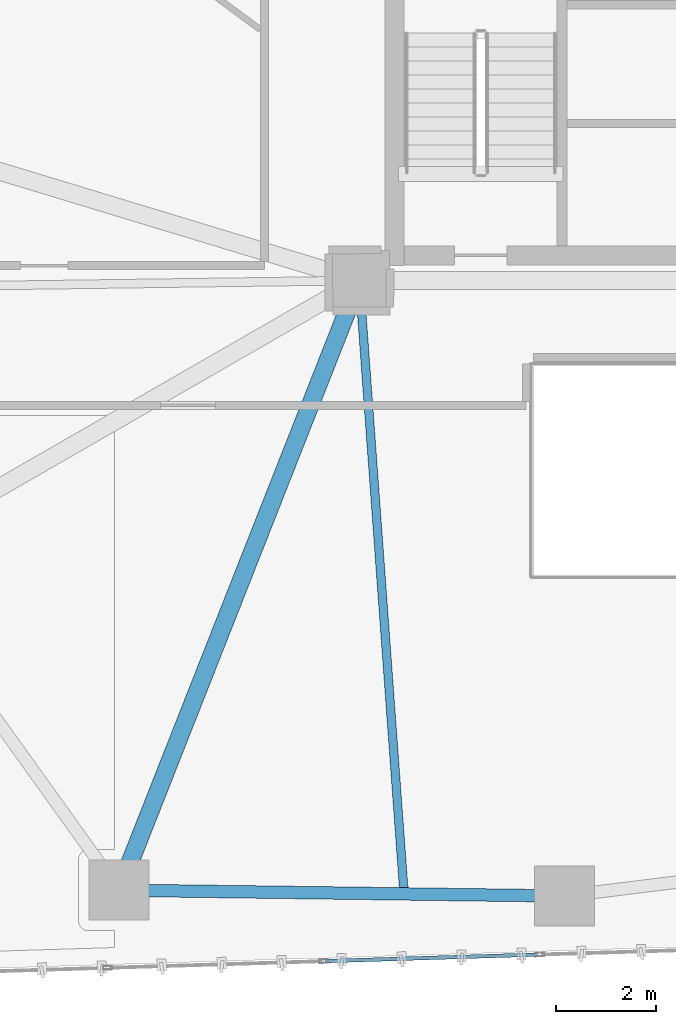
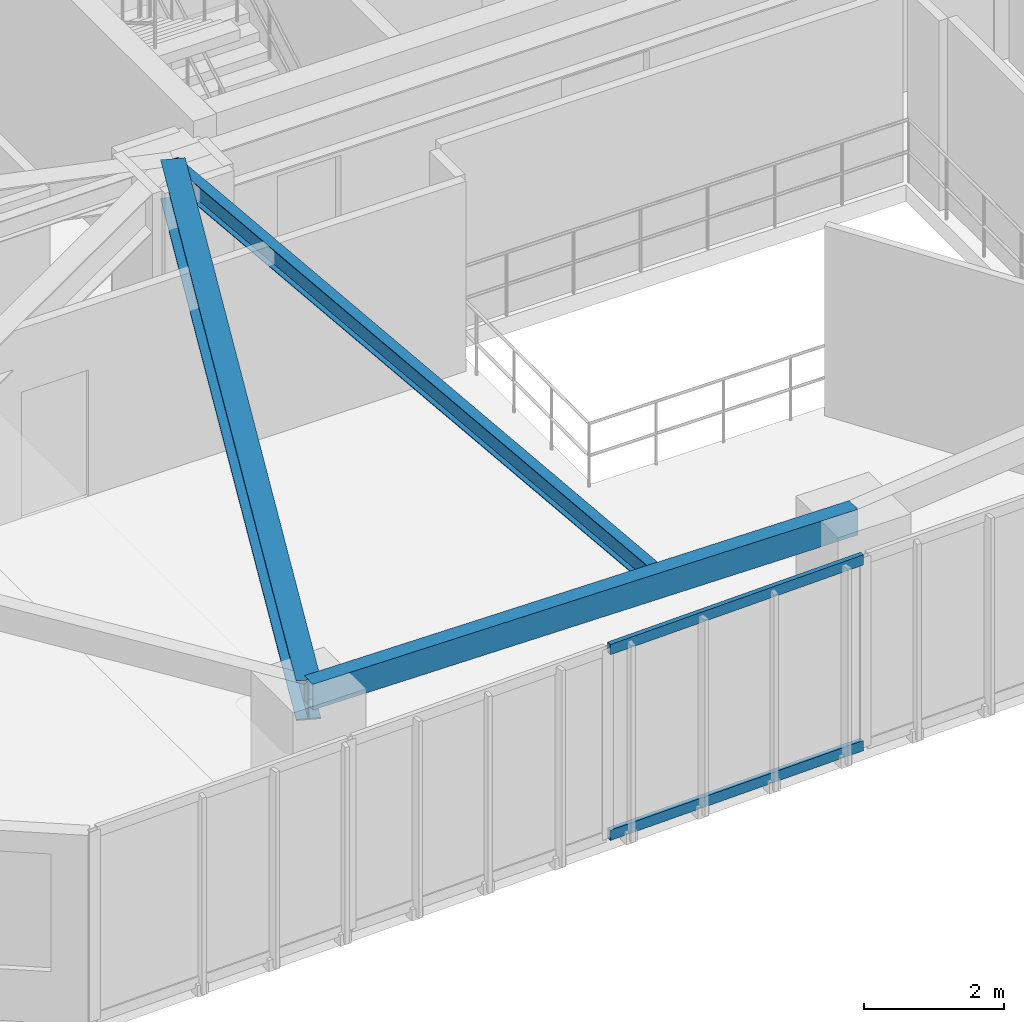
# One storey, part 3 of 23: 3 beams, 2 members, 1 element without a shape of its own.
"""IFC4 building model written with IfcOpenShell, lengths in metres."""

import ifcopenshell
import ifcopenshell.guid

model = None  # the IFC model being written
_history = None  # IfcOwnerHistory: only IFC2X3 demands one
_inside = {}  # id of a spatial element -> (the spatial element, [elements in it])
_under = {}  # id of a project, library or spatial element -> (it, [spatial elements below it])
_declared = {}  # id of a project -> (the project, [libraries it declares])
_typed = {}  # id of a type object -> (the type object, [elements of that type])
_made_of = {}  # id of a material, layer set ... -> (it, [elements and type objects made of it])


def new_model(schema):
    """Start an empty IFC model of exactly this schema.

    Asked for "IFC4X3", IfcOpenShell would pick the latest addendum, in which some entities
    have other attributes; the version numbers below select the first issue.
    IFC2X3 requires an IfcOwnerHistory on every rooted entity: one is made here for all.
    """
    global model, _history
    if schema == "IFC4X3":
        model = ifcopenshell.file(schema_version=(4, 3, 0, 0))
    else:
        model = ifcopenshell.file(schema=schema)
    _inside.clear()
    _under.clear()
    _declared.clear()
    _typed.clear()
    _made_of.clear()
    _history = None
    if model.schema == "IFC2X3":
        org = make("IfcOrganization", Name="unknown")
        user = make(
            "IfcPersonAndOrganization",
            ThePerson=make("IfcPerson", FamilyName="unknown"),
            TheOrganization=org,
        )
        app = make(
            "IfcApplication",
            ApplicationDeveloper=org,
            Version="unknown",
            ApplicationFullName="unknown",
            ApplicationIdentifier="unknown",
        )
        _history = make(
            "IfcOwnerHistory",
            OwningUser=user,
            OwningApplication=app,
            ChangeAction="ADDED",
            CreationDate=0,
        )
    return model


def make(cls, **values):
    """One entity of the class cls with the attributes given. An attribute that is None is left unset."""
    return model.create_entity(
        cls, **{name: value for name, value in values.items() if value is not None}
    )


def rooted(cls, **values):
    """An entity with a GlobalId (a new one), such as an element, a storey or a relation."""
    return make(cls, GlobalId=ifcopenshell.guid.new(), OwnerHistory=_history, **values)


def si_unit(unit_type, name, prefix=None):
    """IfcSIUnit, for example si_unit("LENGTHUNIT", "METRE", prefix="MILLI")."""
    return make("IfcSIUnit", UnitType=unit_type, Prefix=prefix, Name=name)


def assignment(units):
    """IfcUnitAssignment: the units of a project."""
    return None if units is None else make("IfcUnitAssignment", Units=units)


def point(xyz):
    """IfcCartesianPoint."""
    return None if xyz is None else make("IfcCartesianPoint", Coordinates=xyz)


def direction(xyz):
    """IfcDirection."""
    return None if xyz is None else make("IfcDirection", DirectionRatios=xyz)


def frame(location, z_axis=None, x_axis=None):
    """IfcAxis2Placement3D, a coordinate frame: its origin and axes. An axis left out is left unset."""
    return make(
        "IfcAxis2Placement3D",
        Location=point(location),
        Axis=direction(z_axis),
        RefDirection=direction(x_axis),
    )


def frame_2d(location, x_axis=None):
    """IfcAxis2Placement2D, a coordinate frame in the plane: its origin and x axis."""
    return make(
        "IfcAxis2Placement2D", Location=point(location), RefDirection=direction(x_axis)
    )


def origin():
    """The frame at (0, 0, 0) with its axes left unset."""
    return frame((0.0, 0.0, 0.0))


def origin_2d():
    """The frame at (0, 0) in the plane with its x axis left unset."""
    return frame_2d((0.0, 0.0))


def place(relative_to, where):
    """IfcLocalPlacement: puts the frame where relative to a parent placement (None: the world)."""
    return make(
        "IfcLocalPlacement", PlacementRelTo=relative_to, RelativePlacement=where
    )


def context(
    kind, dimensions, precision=None, world=None, true_north=None, identifier=None
):
    """IfcGeometricRepresentationContext, for example the 3D "Model" context."""
    return make(
        "IfcGeometricRepresentationContext",
        ContextIdentifier=identifier,
        ContextType=kind,
        CoordinateSpaceDimension=dimensions,
        Precision=precision,
        WorldCoordinateSystem=world,
        TrueNorth=true_north,
    )


def subcontext(parent, identifier, kind, view, scale=None):
    """IfcGeometricRepresentationSubContext, for example "Body" below "Model"."""
    return make(
        "IfcGeometricRepresentationSubContext",
        ContextIdentifier=identifier,
        ContextType=kind,
        ParentContext=parent,
        TargetScale=scale,
        TargetView=view,
    )


def project(units=None, contexts=None):
    """IfcProject with its units and contexts."""
    return rooted(
        "IfcProject",
        Name="project",
        RepresentationContexts=contexts,
        UnitsInContext=assignment(units),
    )


def spatial(cls, under=None, at=None, **own):
    """A site, building, storey or space (cls), placed at a placement, below another one or the project."""
    s = rooted(cls, ObjectPlacement=at, **own)
    if under is not None:
        _under.setdefault(under.id(), (under, []))[1].append(s)
    return s


def profile(cls, at=None, kind="AREA", **sizes):
    """A parametric profile (cls). Its sizes go by their IFC names, for example OverallWidth=200.0."""
    return make(cls, ProfileType=kind, Position=at, **sizes)


def hollow_rectangle(**sizes):
    """IfcRectangleHollowProfileDef."""
    return profile("IfcRectangleHollowProfileDef", **sizes)


def i_section(**sizes):
    """IfcIShapeProfileDef."""
    return profile("IfcIShapeProfileDef", **sizes)


def extrude(swept, where, along, depth):
    """IfcExtrudedAreaSolid: the profile swept, set in the frame where, extruded along a direction by depth."""
    return make(
        "IfcExtrudedAreaSolid",
        SweptArea=swept,
        Position=where,
        ExtrudedDirection=direction(along),
        Depth=depth,
    )


def shape(context_of_items, identifier, shape_type, items):
    """IfcShapeRepresentation: the items that make up one representation, for example the "Body"."""
    return make(
        "IfcShapeRepresentation",
        ContextOfItems=context_of_items,
        RepresentationIdentifier=identifier,
        RepresentationType=shape_type,
        Items=items,
    )


def source(mapping_origin, context_of_items, identifier, shape_type, items):
    """IfcRepresentationMap: a shape defined once, which mapped items show again and again."""
    return make(
        "IfcRepresentationMap",
        MappingOrigin=mapping_origin,
        MappedRepresentation=shape(context_of_items, identifier, shape_type, items),
    )


def transform(
    local_origin,
    x_axis=None,
    y_axis=None,
    z_axis=None,
    scale=None,
    scale2=None,
    scale3=None,
    uniform=True,
):
    """IfcCartesianTransformationOperator3D, or its non-uniform kind. x_axis, y_axis, z_axis: its Axis1, 2, 3."""
    if uniform:
        return make(
            "IfcCartesianTransformationOperator3D",
            Axis1=direction(x_axis),
            Axis2=direction(y_axis),
            LocalOrigin=point(local_origin),
            Scale=scale,
            Axis3=direction(z_axis),
        )
    return make(
        "IfcCartesianTransformationOperator3DnonUniform",
        Axis1=direction(x_axis),
        Axis2=direction(y_axis),
        LocalOrigin=point(local_origin),
        Scale=scale,
        Axis3=direction(z_axis),
        Scale2=scale2,
        Scale3=scale3,
    )


def mapped(mapping_source, mapping_target):
    """IfcMappedItem: shows the shape of a source again, moved by a transform."""
    return make(
        "IfcMappedItem", MappingSource=mapping_source, MappingTarget=mapping_target
    )


def material(Name=None, Category=None):
    """IfcMaterial."""
    return make("IfcMaterial", Name=Name, Category=Category)


def layer(
    of_material, thickness, ventilated=None, Name=None, Category=None, Priority=None
):
    """IfcMaterialLayer: one layer of a wall or slab, of a material (None: an air gap)."""
    return make(
        "IfcMaterialLayer",
        Material=of_material,
        LayerThickness=thickness,
        IsVentilated=ventilated,
        Name=Name,
        Category=Category,
        Priority=Priority,
    )


def layer_set(layers, Name=None):
    """IfcMaterialLayerSet."""
    return make("IfcMaterialLayerSet", MaterialLayers=layers, LayerSetName=Name)


def material_profile(
    of_material, cross_section, Name=None, Category=None, Priority=None
):
    """IfcMaterialProfile: a cross section and its material."""
    return make(
        "IfcMaterialProfile",
        Name=Name,
        Material=of_material,
        Profile=cross_section,
        Priority=Priority,
        Category=Category,
    )


def profile_set(profiles, Name=None, composite=None):
    """IfcMaterialProfileSet."""
    return make(
        "IfcMaterialProfileSet",
        Name=Name,
        MaterialProfiles=profiles,
        CompositeProfile=composite,
    )


def made_of(thing, what):
    """Note that an element or type object is made of a material, layer set ...; save() writes the relation."""
    if what is not None:
        _made_of.setdefault(what.id(), (what, []))[1].append(thing)
    return thing


def type_object(cls, material=None, **own):
    """A type object (cls), such as IfcWallType, which elements share."""
    return made_of(rooted(cls, **own), material)


def type_shapes(of_type, sources):
    """Give a type object the sources (RepresentationMaps) that its elements show as mapped items."""
    of_type.RepresentationMaps = sources


def element(
    cls,
    number,
    at=None,
    inside=None,
    cuts=None,
    type_object=None,
    material=None,
    context=None,
    identifier="Body",
    shape_type=None,
    held_by="IfcProductDefinitionShape",
    body=None,
    shapes=None,
    **own,
):
    """One element of the class cls, such as IfcWall. Its Tag is "e" and its number.

    at: its placement. inside: the storey or other place that contains it. cuts: it is an
    opening in that element (IfcRelVoidsElement). A single representation is given by context,
    identifier, shape_type and body (its items); several are given by shapes. held_by: the class
    of the entity that holds the representations. save() writes the other relations.
    """
    e = rooted(cls, Tag="e%d" % number, ObjectPlacement=at, **own)
    if body is not None:
        shapes = [shape(context, identifier, shape_type, body)]
    if shapes is not None:
        e.Representation = make(held_by, Representations=shapes)
    if inside is not None:
        _inside.setdefault(inside.id(), (inside, []))[1].append(e)
    if cuts is not None:
        rooted(
            "IfcRelVoidsElement", RelatingBuildingElement=cuts, RelatedOpeningElement=e
        )
    if type_object is not None:
        _typed.setdefault(type_object.id(), (type_object, []))[1].append(e)
    return made_of(e, material)


def aggregate(whole, parts):
    """IfcRelAggregates: a whole, such as a stair, and the parts it consists of."""
    return rooted("IfcRelAggregates", RelatingObject=whole, RelatedObjects=parts)


def save(model, path):
    """Write the relations noted so far, then the file.

    IfcRelAggregates (storeys below a building ...), IfcRelContainedInSpatialStructure (elements
    in a storey), IfcRelDefinesByType, IfcRelAssociatesMaterial and IfcRelDeclares: one each for
    every whole, place, type object, material and project.
    """
    for whole, parts in _under.values():
        aggregate(whole, parts)
    for where, things in _inside.values():
        rooted(
            "IfcRelContainedInSpatialStructure",
            RelatedElements=things,
            RelatingStructure=where,
        )
    for kind, things in _typed.values():
        rooted("IfcRelDefinesByType", RelatedObjects=things, RelatingType=kind)
    for what, things in _made_of.values():
        rooted("IfcRelAssociatesMaterial", RelatedObjects=things, RelatingMaterial=what)
    for by, libraries in _declared.values():
        rooted("IfcRelDeclares", RelatingContext=by, RelatedDefinitions=libraries)
    model.write(path)


model = new_model("IFC4")

# Units and contexts
model_context = context("Model", 3, precision=1e-05, world=origin(), true_north=direction((0.0, 1.0)))
body_context = subcontext(model_context, "Body", "Model", "MODEL_VIEW")
ifc_project = project(units=[si_unit("LENGTHUNIT", "METRE"), si_unit("AREAUNIT", "SQUARE_METRE"), si_unit("VOLUMEUNIT", "CUBIC_METRE"), si_unit("PLANEANGLEUNIT", "RADIAN"), si_unit("MASSUNIT", "GRAM", prefix="KILO")], contexts=[model_context])

# Site, building, storey
site_placement = place(None, origin())
site = spatial("IfcSite", under=ifc_project, at=site_placement, CompositionType="ELEMENT")
building_placement = place(site_placement, origin())
building = spatial("IfcBuilding", under=site, at=building_placement, Name="Talar Marvaseh", CompositionType="ELEMENT")
storey_placement = place(building_placement, frame((0.0, 0.0, 96.60009765625)))
storey = spatial("IfcBuildingStorey", under=building, at=storey_placement, Name="L24", CompositionType="ELEMENT", Elevation=96.60009765625)

# Beams
ifc_material_1 = material(Name="Steel S355", Category="steel")
ifc_material_profile_1 = material_profile(ifc_material_1, hollow_rectangle(XDim=0.25, YDim=0.449951171875, WallThickness=0.01611328125, at=origin_2d()), Name="RHS450x250x16")
ifc_profile_set_1 = profile_set([ifc_material_profile_1], Name="Steel S355")
beam_type_1 = type_object("IfcBeamType", Name="Zone 2 Perimeter Spandrel Beam RHS450x250x16", PredefinedType="SPANDREL", material=ifc_profile_set_1)
beam_1_placement = place(storey_placement, frame((22.804931640625, 13.18310546875, 3.0849609375), z_axis=(-0.999915383581, 0.013008677034, 0.0), x_axis=(-0.013008677034, -0.999915383581, 0.0)))
element("IfcBeam", 1, at=beam_1_placement, inside=storey, type_object=beam_type_1, Name="L24 Zone 2 Perimeter Spandrel Beam RHS450x250x16", PredefinedType="SPANDREL", context=body_context, shape_type="SweptSolid", body=[
    extrude(hollow_rectangle(XDim=0.25, YDim=0.449951171875, WallThickness=0.01611328125, at=origin_2d()), origin(), (0.0, 0.0, 1.0), 8.91455078125),
])
ifc_material_profile_2 = material_profile(ifc_material_1, i_section(OverallWidth=0.35498046875, OverallDepth=0.695068359375, WebThickness=0.015380859375, FlangeThickness=0.02490234375, at=origin_2d()), Name="W690x217")
ifc_profile_set_2 = profile_set([ifc_material_profile_2], Name="Steel S355")
beam_type_2 = type_object("IfcBeamType", Name="Zone 2 Radial Floor Girder W690x217", PredefinedType="BEAM", material=ifc_profile_set_2)
beam_2_placement = place(storey_placement, frame((13.89111328125, 13.299072265625, 2.96240234375), z_axis=(0.366683712786, 0.930345664136, 0.0), x_axis=(-0.930345664136, 0.366683712786, 0.0)))
element("IfcBeam", 2, at=beam_2_placement, inside=storey, type_object=beam_type_2, Name="L24 Zone 2 Radial Floor Girder W690x217", PredefinedType="BEAM", context=body_context, shape_type="SweptSolid", body=[
    extrude(i_section(OverallWidth=0.35498046875, OverallDepth=0.695068359375, WebThickness=0.015380859375, FlangeThickness=0.02490234375, at=origin_2d()), origin(), (0.0, 0.0, 1.0), 13.114501953125),
])
ifc_material_profile_3 = material_profile(ifc_material_1, i_section(OverallWidth=0.172119140625, OverallDepth=0.35791015625, WebThickness=0.0078125, FlangeThickness=0.01318359375, at=origin_2d()), Name="W360x57")
ifc_profile_set_3 = profile_set([ifc_material_profile_3], Name="Steel S355")
beam_type_3 = type_object("IfcBeamType", Name="Zone 2 Secondary Floor Joist W360x57", PredefinedType="JOIST", material=ifc_profile_set_3)
beam_3_placement = place(storey_placement, frame((19.595947265625, 13.224853515625, 3.130859375), z_axis=(-0.07279902415, 0.997346630857, 0.0), x_axis=(-0.997346630857, -0.07279902415, 0.0)))
element("IfcBeam", 3, at=beam_3_placement, inside=storey, type_object=beam_type_3, Name="L24 Zone 2 Secondary Floor Joist W360x57", PredefinedType="JOIST", context=body_context, shape_type="SweptSolid", body=[
    extrude(i_section(OverallWidth=0.172119140625, OverallDepth=0.35791015625, WebThickness=0.0078125, FlangeThickness=0.01318359375, at=origin_2d()), origin(), (0.0, 0.0, 1.0), 12.307861328125),
])

# Curtain wall, members
ifc_material_2 = material(Name="Architectural Aluminium", Category="aluminium")
ifc_layer = layer(ifc_material_2, 0.199951171875)
ifc_layer_set = layer_set([ifc_layer], Name="Architectural Aluminium")
curtain_wall_type = type_object("IfcCurtainWallType", Name="Unitised Acoustic Library Curtain Wall Z2", PredefinedType="NOTDEFINED", material=ifc_layer_set)
curtain_wall_placement = place(storey_placement, origin())
curtain_wall = element("IfcCurtainWall", 4, at=curtain_wall_placement, inside=storey, type_object=curtain_wall_type, Name="L24 Unitised Acoustic Library Curtain Wall Z2", PredefinedType="NOTDEFINED")
ifc_material_profile_4 = material_profile(ifc_material_2, hollow_rectangle(XDim=0.074951171875, YDim=0.179931640625, WallThickness=0.0048828125, at=origin_2d()), Name="RHS180x75x5")
ifc_profile_set_4 = profile_set([ifc_material_profile_4], Name="Architectural Aluminium")
member_type = type_object("IfcMemberType", Name="Unitised Curtain Wall Transom RHS180x75x5", PredefinedType="USERDEFINED", material=ifc_profile_set_4)
shared_shape = source(origin(), body_context, "Body", "SweptSolid", [
    extrude(hollow_rectangle(XDim=0.074951171875, YDim=0.179931640625, WallThickness=0.0048828125, at=origin_2d()), origin(), (0.0, 0.0, 1.0), 4.248291015625),
])
type_shapes(member_type, [shared_shape])
member_1_placement = place(storey_placement, frame((22.26904296875, 12.011474609375, 0.037353515625), z_axis=(-0.99952902633, -0.030687546718, 0.0), x_axis=(0.030687546718, -0.99952902633, 0.0)))
member_1 = element("IfcMember", 5, at=member_1_placement, type_object=member_type, Name="CW-Z2 transom 3.1", ObjectType="TRANSOM", PredefinedType="USERDEFINED", context=body_context, shape_type="MappedRepresentation", body=[
    mapped(shared_shape, transform((0.0, 0.0, 0.0), x_axis=(1.0, 0.0, 0.0), y_axis=(0.0, 1.0, 0.0), z_axis=(0.0, 0.0, 1.0), scale=1.0)),
])
member_2_placement = place(storey_placement, frame((22.26904296875, 12.011474609375, 3.2724609375), z_axis=(-0.99952902633, -0.030687546718, 0.0), x_axis=(0.030687546718, -0.99952902633, 0.0)))
member_2 = element("IfcMember", 6, at=member_2_placement, type_object=member_type, Name="CW-Z2 transom 3.2", ObjectType="TRANSOM", PredefinedType="USERDEFINED", context=body_context, shape_type="MappedRepresentation", body=[
    mapped(shared_shape, transform((0.0, 0.0, 0.0), x_axis=(1.0, 0.0, 0.0), y_axis=(0.0, 1.0, 0.0), z_axis=(0.0, 0.0, 1.0), scale=1.0)),
])
aggregate(curtain_wall, [member_1, member_2])

save(model, "model.ifc")
